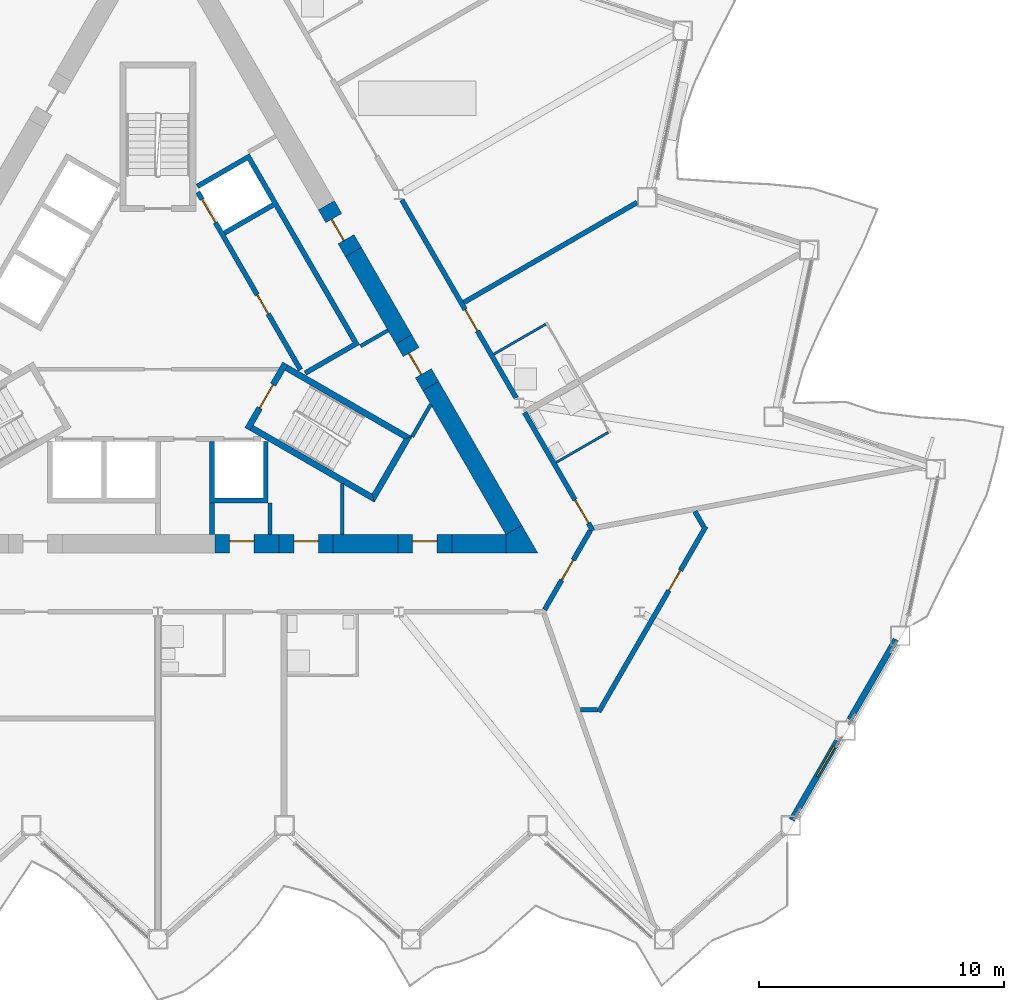
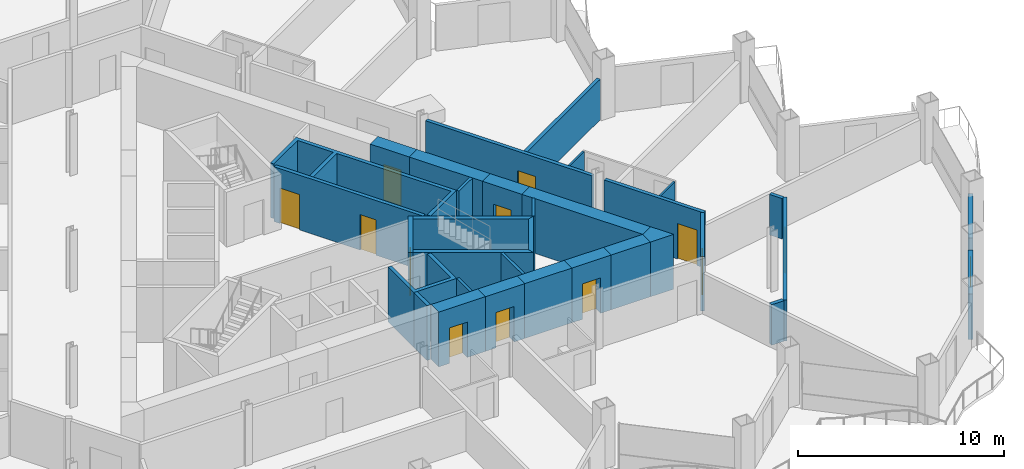
# One storey, part 12 of 22: 33 walls, 12 doors, 1 window, 13 openings.
"""IFC4 building model written with IfcOpenShell, lengths in metres."""

from ifc_helpers import new_model, si_unit, direction, frame, frame_2d, origin, place, context, subcontext, project, spatial, polyline, rectangle, outline, extrude, material, layer, layer_set, type_object, element, fill, save


model = new_model("IFC4")

# Units and contexts
model_context = context("Model", 3, precision=1e-05, world=origin(), true_north=direction((0.0, 1.0)))
body_context = subcontext(model_context, "Body", "Model", "MODEL_VIEW")
ifc_project = project(units=[si_unit("LENGTHUNIT", "METRE"), si_unit("AREAUNIT", "SQUARE_METRE"), si_unit("VOLUMEUNIT", "CUBIC_METRE"), si_unit("PLANEANGLEUNIT", "RADIAN"), si_unit("MASSUNIT", "GRAM", prefix="KILO")], contexts=[model_context])

# Site, building, storey
site_placement = place(None, origin())
site = spatial("IfcSite", under=ifc_project, at=site_placement, CompositionType="ELEMENT")
building_placement = place(site_placement, origin())
building = spatial("IfcBuilding", under=site, at=building_placement, Name="Cormorant Prow Tower", CompositionType="ELEMENT")
storey_placement = place(building_placement, frame((0.0, 0.0, 194.39990234375)))
storey = spatial("IfcBuildingStorey", under=building, at=storey_placement, Name="L42", CompositionType="ELEMENT", Elevation=194.39990234375)

# Walls
ifc_material_1 = material(Name="Gypsum board partition")
ifc_layer_1 = layer(ifc_material_1, 0.14990234375)
ifc_layer_set_1 = layer_set([ifc_layer_1], Name="Gypsum board partition")
wall_type_1 = type_object("IfcWallType", Name="Core partition 150", PredefinedType="PARTITIONING", material=ifc_layer_set_1)
for number, where, z_axis, x_axis, name in (
    (1, (8.268310546875, -0.509033203125, 0.0), (0.0, 0.0, 1.0), (0.866003189247, 0.500038474733, 0.0), "Service room partition"),
    (2, (4.574951171875, -6.906005859375, 0.0), (0.0, 0.0, 1.0), (0.0, -1.0, 0.0), "Service room partition"),
):
    element("IfcWall", number, at=place(storey_placement, frame(where, z_axis=z_axis, x_axis=x_axis)), inside=storey, type_object=wall_type_1, Name=name, PredefinedType="PARTITIONING", context=body_context, shape_type="SweptSolid", body=[
        extrude(rectangle(XDim=1.29296875, YDim=0.14990234375, at=frame_2d((0.646484375, 0.0))), origin(), (0.0, 0.0, 1.0), 3.25),
    ])
wall_1_placement = place(storey_placement, frame((7.515380859375, -8.198974609375, 0.0), z_axis=(0.0, 0.0, 1.0), x_axis=(0.0, 1.0, 0.0)))
element("IfcWall", 3, at=wall_1_placement, inside=storey, type_object=wall_type_1, Name="Service room partition", PredefinedType="PARTITIONING", context=body_context, shape_type="SweptSolid", body=[
    extrude(rectangle(XDim=2.087158203125, YDim=0.14990234375, at=frame_2d((1.04345703125, 0.0))), origin(), (0.0, 0.0, 1.0), 3.25),
])
wall_2_placement = place(storey_placement, frame((10.37353515625, -4.206298828125, 0.0), z_axis=(0.0, 0.0, 1.0), x_axis=(0.500037110984, 0.866003976688, 0.0)))
element("IfcWall", 4, at=wall_2_placement, inside=storey, type_object=wall_type_1, Name="Service room partition", PredefinedType="PARTITIONING", context=body_context, shape_type="SweptSolid", body=[
    extrude(rectangle(XDim=1.5224609375, YDim=0.14990234375, at=frame_2d((0.76123046875, 0.0))), origin(), (0.0, 0.0, 1.0), 3.25),
])
ifc_material_2 = material(Name="Concrete 8000 psi", Category="concrete")
ifc_layer_2 = layer(ifc_material_2, 0.75)
ifc_layer_set_2 = layer_set([ifc_layer_2], Name="Concrete 8000 psi")
wall_type_2 = type_object("IfcWallType", Name="Core shear wall 750", PredefinedType="SHEAR", material=ifc_layer_set_2)
wall_3_placement = place(storey_placement, frame((7.14501953125, -8.573974609375, 0.0), z_axis=(0.0, 0.0, 1.0), x_axis=(1.0, 0.0, 0.0)))
element("IfcWall", 5, at=wall_3_placement, inside=storey, type_object=wall_type_2, Name="Core wall", PredefinedType="SHEAR", context=body_context, shape_type="SweptSolid", body=[
    extrude(rectangle(XDim=2.650634765625, YDim=0.75, at=frame_2d((1.3251953125, 0.0))), origin(), (0.0, 0.0, 1.0), 3.25),
])
wall_4_placement = place(storey_placement, frame((11.99560546875, -8.573974609375, 0.0), z_axis=(0.0, 0.0, 1.0), x_axis=(1.0, 0.0, 0.0)))
element("IfcWall", 6, at=wall_4_placement, inside=storey, type_object=wall_type_2, Name="Core wall", PredefinedType="SHEAR", context=body_context, shape_type="SweptSolid", body=[
    extrude(rectangle(XDim=2.205322265625, YDim=0.75, at=frame_2d((1.1025390625, 0.0))), origin(), (0.0, 0.0, 1.0), 3.25),
])
wall_5_placement = place(storey_placement, frame((14.525634765625, -8.011474609375, 0.0), z_axis=(0.0, 0.0, 1.0), x_axis=(-0.499982018922, 0.866035784916, 0.0)))
element("IfcWall", 7, at=wall_5_placement, inside=storey, type_object=wall_type_2, Name="Core wall", PredefinedType="SHEAR", context=body_context, shape_type="SweptSolid", body=[
    extrude(rectangle(XDim=6.784912109375, YDim=0.75, at=frame_2d((3.392578125, 0.0))), origin(), (0.0, 0.0, 1.0), 3.25),
])
wall_6_placement = place(storey_placement, frame((10.033203125, -0.22998046875, 0.0), z_axis=(0.0, 0.0, 1.0), x_axis=(-0.500030520673, 0.866007781949, 0.0)))
element("IfcWall", 8, at=wall_6_placement, inside=storey, type_object=wall_type_2, Name="Core wall", PredefinedType="SHEAR", context=body_context, shape_type="SweptSolid", body=[
    extrude(rectangle(XDim=4.115966796875, YDim=0.75, at=frame_2d((2.05810546875, 0.0))), origin(), (0.0, 0.0, 1.0), 3.25),
])
wall_7_placement = place(storey_placement, origin())
element("IfcWall", 9, at=wall_7_placement, inside=storey, type_object=wall_type_2, Name="Core wall corner", PredefinedType="SHEAR", context=body_context, shape_type="SweptSolid", body=[
    extrude(outline(polyline([(14.200927734375, -8.948974609375), (14.200927734375, -8.198974609375), (14.8505859375, -7.823974609375), (15.5, -8.948974609375), (14.200927734375, -8.948974609375)])), origin(), (0.0, 0.0, 1.0), 3.25),
])

# Wall, opening, door
wall_8_placement = place(storey_placement, frame((2.320068359375, -8.573974609375, 0.0), z_axis=(0.0, 0.0, 1.0), x_axis=(1.0, 0.0, 0.0)))
wall_8 = element("IfcWall", 10, at=wall_8_placement, inside=storey, type_object=wall_type_2, Name="Core wall door panel", PredefinedType="SHEAR", context=body_context, shape_type="SweptSolid", body=[
    extrude(rectangle(XDim=2.625, YDim=0.75, at=frame_2d((1.3125, 0.0))), origin(), (0.0, 0.0, 1.0), 3.25),
])
opening_1_placement = place(wall_8_placement, frame((0.60009765625, 0.0, 0.0)))
opening_1 = element("IfcOpeningElement", 11, at=opening_1_placement, cuts=wall_8, Name="Opening L42-C13", PredefinedType="OPENING", context=body_context, shape_type="SweptSolid", body=[
    extrude(rectangle(XDim=1.0, YDim=2.10009765625, at=frame_2d((0.5, 1.050048828125))), frame((0.0, 0.385009765625, 0.0), z_axis=(0.0, -1.0, 0.0), x_axis=(1.0, 0.0, 0.0)), (0.0, 0.0, 1.0), 0.77001953125),
])
ifc_material_3 = material(Name="Painted steel", Category="steel")
door_type_1 = type_object("IfcDoorType", Name="Service door 1000x2100", OperationType="NOTDEFINED", PredefinedType="DOOR", material=ifc_material_3)
door_1_placement = place(opening_1_placement, origin())
door_1 = element("IfcDoor", 12, at=door_1_placement, inside=storey, type_object=door_type_1, Name="Core door, Telecom room", OperationType="SINGLE_SWING_RIGHT", OverallHeight=2.10009765625, OverallWidth=1.0, PredefinedType="DOOR", context=body_context, shape_type="SweptSolid", body=[
    extrude(rectangle(XDim=1.0, YDim=2.10009765625, at=frame_2d((0.5, 1.050048828125))), frame((0.0, 0.1298828125, 0.0), z_axis=(0.0, -1.0, 0.0), x_axis=(1.0, 0.0, 0.0)), (0.0, 0.0, 1.0), 0.050048828125),
])
fill(opening_1, door_1)

wall_9_placement = place(storey_placement, frame((4.945068359375, -8.573974609375, 0.0), z_axis=(0.0, 0.0, 1.0), x_axis=(1.0, 0.0, 0.0)))
wall_9 = element("IfcWall", 13, at=wall_9_placement, inside=storey, type_object=wall_type_2, Name="Core wall door panel", PredefinedType="SHEAR", context=body_context, shape_type="SweptSolid", body=[
    extrude(rectangle(XDim=2.199951171875, YDim=0.75, at=frame_2d((1.10009765625, 0.0))), origin(), (0.0, 0.0, 1.0), 3.25),
])
opening_2_placement = place(wall_9_placement, frame((0.60009765625, 0.0, 0.0)))
opening_2 = element("IfcOpeningElement", 14, at=opening_2_placement, cuts=wall_9, Name="Opening L42-C15", PredefinedType="OPENING", context=body_context, shape_type="SweptSolid", body=[
    extrude(rectangle(XDim=1.0, YDim=2.10009765625, at=frame_2d((0.5, 1.050048828125))), frame((0.0, 0.385009765625, 0.0), z_axis=(0.0, -1.0, 0.0), x_axis=(1.0, 0.0, 0.0)), (0.0, 0.0, 1.0), 0.77001953125),
])
door_2_placement = place(opening_2_placement, origin())
door_2 = element("IfcDoor", 15, at=door_2_placement, inside=storey, type_object=door_type_1, Name="Core door, Electrical room", OperationType="SINGLE_SWING_LEFT", OverallHeight=2.10009765625, OverallWidth=1.0, PredefinedType="DOOR", context=body_context, shape_type="SweptSolid", body=[
    extrude(rectangle(XDim=1.0, YDim=2.10009765625, at=frame_2d((0.5, 1.050048828125))), frame((0.0, 0.1298828125, 0.0), z_axis=(0.0, -1.0, 0.0), x_axis=(1.0, 0.0, 0.0)), (0.0, 0.0, 1.0), 0.050048828125),
])
fill(opening_2, door_2)

wall_10_placement = place(storey_placement, frame((9.795654296875, -8.573974609375, 0.0), z_axis=(0.0, 0.0, 1.0), x_axis=(1.0, 0.0, 0.0)))
wall_10 = element("IfcWall", 16, at=wall_10_placement, inside=storey, type_object=wall_type_2, Name="Core wall door panel", PredefinedType="SHEAR", context=body_context, shape_type="SweptSolid", body=[
    extrude(rectangle(XDim=2.199951171875, YDim=0.75, at=frame_2d((1.10009765625, 0.0))), origin(), (0.0, 0.0, 1.0), 3.25),
])
opening_3_placement = place(wall_10_placement, frame((0.60009765625, 0.0, 0.0)))
opening_3 = element("IfcOpeningElement", 17, at=opening_3_placement, cuts=wall_10, Name="Opening L42-C16", PredefinedType="OPENING", context=body_context, shape_type="SweptSolid", body=[
    extrude(rectangle(XDim=1.0, YDim=2.10009765625, at=frame_2d((0.5, 1.050048828125))), frame((0.0, 0.385009765625, 0.0), z_axis=(0.0, -1.0, 0.0), x_axis=(1.0, 0.0, 0.0)), (0.0, 0.0, 1.0), 0.77001953125),
])
door_3_placement = place(opening_3_placement, origin())
door_3 = element("IfcDoor", 18, at=door_3_placement, inside=storey, type_object=door_type_1, Name="Core door, Mechanical riser room", OperationType="SINGLE_SWING_LEFT", OverallHeight=2.10009765625, OverallWidth=1.0, PredefinedType="DOOR", context=body_context, shape_type="SweptSolid", body=[
    extrude(rectangle(XDim=1.0, YDim=2.10009765625, at=frame_2d((0.5, 1.050048828125))), frame((0.0, 0.1298828125, 0.0), z_axis=(0.0, -1.0, 0.0), x_axis=(1.0, 0.0, 0.0)), (0.0, 0.0, 1.0), 0.050048828125),
])
fill(opening_3, door_3)

wall_11_placement = place(storey_placement, frame((7.975341796875, 3.33447265625, 0.0), z_axis=(0.0, 0.0, 1.0), x_axis=(-0.500077893725, 0.86598042715, 0.0)))
wall_11 = element("IfcWall", 19, at=wall_11_placement, inside=storey, type_object=wall_type_2, Name="Core wall door panel", PredefinedType="SHEAR", context=body_context, shape_type="SweptSolid", body=[
    extrude(rectangle(XDim=2.199951171875, YDim=0.75, at=frame_2d((1.10009765625, 0.0))), origin(), (0.0, 0.0, 1.0), 3.25),
])
opening_4_placement = place(wall_11_placement, frame((0.60009765625, 0.0, 0.0)))
opening_4 = element("IfcOpeningElement", 20, at=opening_4_placement, cuts=wall_11, Name="Opening L42-C18", PredefinedType="OPENING", context=body_context, shape_type="SweptSolid", body=[
    extrude(rectangle(XDim=1.0, YDim=2.10009765625, at=frame_2d((0.5, 1.050048828125))), frame((0.0, 0.385009765625, 0.0), z_axis=(0.0, -1.0, 0.0), x_axis=(1.0, 0.0, 0.0)), (0.0, 0.0, 1.0), 0.77001953125),
])
door_4_placement = place(opening_4_placement, origin())
door_4 = element("IfcDoor", 21, at=door_4_placement, inside=storey, type_object=door_type_1, Name="Core door, Pantry store", OperationType="SINGLE_SWING_RIGHT", OverallHeight=2.10009765625, OverallWidth=1.0, PredefinedType="DOOR", context=body_context, shape_type="SweptSolid", body=[
    extrude(rectangle(XDim=1.0, YDim=2.10009765625, at=frame_2d((0.5, 1.050048828125))), frame((0.0, 0.1298828125, 0.0), z_axis=(0.0, -1.0, 0.0), x_axis=(1.0, 0.0, 0.0)), (0.0, 0.0, 1.0), 0.050048828125),
])
fill(opening_4, door_4)

wall_12_placement = place(storey_placement, frame((11.13330078125, -2.135498046875, 0.0), z_axis=(0.0, 0.0, 1.0), x_axis=(-0.499981787252, 0.866035918664, 0.0)))
wall_12 = element("IfcWall", 22, at=wall_12_placement, inside=storey, type_object=wall_type_2, Name="Core wall door panel", PredefinedType="SHEAR", context=body_context, shape_type="SweptSolid", body=[
    extrude(rectangle(XDim=2.2001953125, YDim=0.75, at=frame_2d((1.10009765625, 0.0))), origin(), (0.0, 0.0, 1.0), 3.25),
])
opening_5_placement = place(wall_12_placement, frame((0.60009765625, 0.0, 0.0)))
opening_5 = element("IfcOpeningElement", 23, at=opening_5_placement, cuts=wall_12, Name="Opening L42-C20", PredefinedType="OPENING", context=body_context, shape_type="SweptSolid", body=[
    extrude(rectangle(XDim=1.0, YDim=2.10009765625, at=frame_2d((0.5, 1.050048828125))), frame((0.0, 0.385009765625, 0.0), z_axis=(0.0, -1.0, 0.0), x_axis=(1.0, 0.0, 0.0)), (0.0, 0.0, 1.0), 0.77001953125),
])
door_5_placement = place(opening_5_placement, origin())
door_5 = element("IfcDoor", 24, at=door_5_placement, inside=storey, type_object=door_type_1, Name="Core door, Mechanical riser room", OperationType="SINGLE_SWING_LEFT", OverallHeight=2.10009765625, OverallWidth=1.0, PredefinedType="DOOR", context=body_context, shape_type="SweptSolid", body=[
    extrude(rectangle(XDim=1.0, YDim=2.10009765625, at=frame_2d((0.5, 1.050048828125))), frame((0.0, 0.1298828125, 0.0), z_axis=(0.0, -1.0, 0.0), x_axis=(1.0, 0.0, 0.0)), (0.0, 0.0, 1.0), 0.050048828125),
])
fill(opening_5, door_5)

ifc_material_4 = material(Name="Gypsum board corridor wall")
ifc_layer_3 = layer(ifc_material_4, 0.199951171875)
ifc_layer_set_3 = layer_set([ifc_layer_3], Name="Gypsum board corridor wall")
wall_type_3 = type_object("IfcWallType", Name="Corridor wall 200", PredefinedType="PARTITIONING", material=ifc_layer_set_3)
wall_13_placement = place(storey_placement, frame((9.951904296875, 5.460693359375, 0.0), z_axis=(0.0, 0.0, 1.0), x_axis=(0.50000393355, -0.866023132736, 0.0)))
wall_13 = element("IfcWall", 25, at=wall_13_placement, inside=storey, type_object=wall_type_3, Name="Corridor wall", PredefinedType="PARTITIONING", context=body_context, shape_type="SweptSolid", body=[
    extrude(rectangle(XDim=9.3349609375, YDim=0.199951171875, at=frame_2d((4.66748046875, 0.0))), origin(), (0.0, 0.0, 1.0), 3.25),
])
opening_6_placement = place(wall_13_placement, frame((5.171875, 0.0, 0.0)))
opening_6 = element("IfcOpeningElement", 26, at=opening_6_placement, cuts=wall_13, Name="Opening L42-F11", PredefinedType="OPENING", context=body_context, shape_type="SweptSolid", body=[
    extrude(rectangle(XDim=1.0, YDim=2.10009765625, at=frame_2d((0.5, 1.050048828125))), frame((0.0, 0.10986328125, 0.0), z_axis=(0.0, -1.0, 0.0), x_axis=(1.0, 0.0, 0.0)), (0.0, 0.0, 1.0), 0.219970703125),
])
ifc_material_5 = material(Name="Timber door leaf", Category="wood")
door_type_2 = type_object("IfcDoorType", Name="Flat or room entrance door 1000x2100", OperationType="NOTDEFINED", PredefinedType="DOOR", material=ifc_material_5)
door_6_placement = place(opening_6_placement, origin())
door_6 = element("IfcDoor", 27, at=door_6_placement, inside=storey, type_object=door_type_2, Name="Guest room door", OperationType="SINGLE_SWING_LEFT", OverallHeight=2.10009765625, OverallWidth=1.0, PredefinedType="DOOR", context=body_context, shape_type="SweptSolid", body=[
    extrude(rectangle(XDim=1.0, YDim=2.10009765625, at=frame_2d((0.5, 1.050048828125))), frame((0.0, 0.02490234375, 0.0), z_axis=(0.0, -1.0, 0.0), x_axis=(1.0, 0.0, 0.0)), (0.0, 0.0, 1.0), 0.050048828125),
])
fill(opening_6, door_6)

wall_14_placement = place(storey_placement, frame((14.9619140625, -3.217041015625, 0.0), z_axis=(0.0, 0.0, 1.0), x_axis=(0.500013660489, -0.866017516754, 0.0)))
wall_14 = element("IfcWall", 28, at=wall_14_placement, inside=storey, type_object=wall_type_3, Name="Corridor wall", PredefinedType="PARTITIONING", context=body_context, shape_type="SweptSolid", body=[
    extrude(rectangle(XDim=5.563720703125, YDim=0.199951171875, at=frame_2d((2.78173828125, 0.0))), origin(), (0.0, 0.0, 1.0), 3.25),
])
opening_7_placement = place(wall_14_placement, frame((4.1123046875, 0.0, 0.0)))
opening_7 = element("IfcOpeningElement", 29, at=opening_7_placement, cuts=wall_14, Name="Opening L42-F09", PredefinedType="OPENING", context=body_context, shape_type="SweptSolid", body=[
    extrude(rectangle(XDim=1.10009765625, YDim=2.10009765625, at=frame_2d((0.550048828125, 1.050048828125))), frame((0.0, 0.10986328125, 0.0), z_axis=(0.0, -1.0, 0.0), x_axis=(1.0, 0.0, 0.0)), (0.0, 0.0, 1.0), 0.219970703125),
])
ifc_material_6 = material(Name="Timber door leaf", Category="wood")
door_type_3 = type_object("IfcDoorType", Name="Suite entrance door 1100x2100", OperationType="NOTDEFINED", PredefinedType="DOOR", material=ifc_material_6)
door_7_placement = place(opening_7_placement, origin())
door_7 = element("IfcDoor", 30, at=door_7_placement, inside=storey, type_object=door_type_3, Name="Junior suite door", OperationType="SINGLE_SWING_RIGHT", OverallHeight=2.10009765625, OverallWidth=1.10009765625, PredefinedType="DOOR", context=body_context, shape_type="SweptSolid", body=[
    extrude(rectangle(XDim=1.10009765625, YDim=2.10009765625, at=frame_2d((0.550048828125, 1.050048828125))), frame((0.0, 0.02490234375, 0.0), z_axis=(0.0, -1.0, 0.0), x_axis=(1.0, 0.0, 0.0)), (0.0, 0.0, 1.0), 0.050048828125),
])
fill(opening_7, door_7)

wall_15_placement = place(storey_placement, frame((15.781005859375, -11.26220703125, 0.0), z_axis=(0.0, 0.0, 1.0), x_axis=(0.499958791762, 0.866049194065, 0.0)))
wall_15 = element("IfcWall", 31, at=wall_15_placement, inside=storey, type_object=wall_type_3, Name="Corridor wall", PredefinedType="PARTITIONING", context=body_context, shape_type="SweptSolid", body=[
    extrude(rectangle(XDim=3.725830078125, YDim=0.199951171875, at=frame_2d((1.86279296875, 0.0))), origin(), (0.0, 0.0, 1.0), 3.25),
])
opening_8_placement = place(wall_15_placement, frame((1.387939453125, 0.0, 0.0)))
opening_8 = element("IfcOpeningElement", 32, at=opening_8_placement, cuts=wall_15, Name="Opening L42-F07", PredefinedType="OPENING", context=body_context, shape_type="SweptSolid", body=[
    extrude(rectangle(XDim=0.949951171875, YDim=2.10009765625, at=frame_2d((0.47509765625, 1.050048828125))), frame((0.0, 0.10986328125, 0.0), z_axis=(0.0, -1.0, 0.0), x_axis=(1.0, 0.0, 0.0)), (0.0, 0.0, 1.0), 0.219970703125),
])
ifc_material_7 = material(Name="Timber door leaf", Category="wood")
door_type_4 = type_object("IfcDoorType", Name="Store door 950x2100", OperationType="NOTDEFINED", PredefinedType="DOOR", material=ifc_material_7)
door_8_placement = place(opening_8_placement, origin())
door_8 = element("IfcDoor", 33, at=door_8_placement, inside=storey, type_object=door_type_4, Name="Housekeeping room door", OperationType="SINGLE_SWING_RIGHT", OverallHeight=2.10009765625, OverallWidth=0.949951171875, PredefinedType="DOOR", context=body_context, shape_type="SweptSolid", body=[
    extrude(rectangle(XDim=0.949951171875, YDim=2.10009765625, at=frame_2d((0.47509765625, 1.050048828125))), frame((0.0, 0.02490234375, 0.0), z_axis=(0.0, -1.0, 0.0), x_axis=(1.0, 0.0, 0.0)), (0.0, 0.0, 1.0), 0.050048828125),
])
fill(opening_8, door_8)

ifc_material_8 = material(Name="Gypsum board demising wall")
ifc_layer_4 = layer(ifc_material_8, 0.199951171875)
ifc_layer_set_4 = layer_set([ifc_layer_4], Name="Gypsum board demising wall")
wall_type_4 = type_object("IfcWallType", Name="Demising wall 200", PredefinedType="PARTITIONING", material=ifc_layer_set_4)
wall_16_placement = place(storey_placement, frame((17.990234375, -15.435546875, 0.0), z_axis=(0.0, 0.0, 1.0), x_axis=(0.500012451049, 0.866018215049, 0.0)))
wall_16 = element("IfcWall", 34, at=wall_16_placement, inside=storey, type_object=wall_type_4, Name="Demising wall", PredefinedType="PARTITIONING", context=body_context, shape_type="SweptSolid", body=[
    extrude(rectangle(XDim=8.744873046875, YDim=0.199951171875, at=frame_2d((4.37255859375, 0.0))), origin(), (0.0, 0.0, 1.0), 2.404296875),
])
opening_9_placement = place(wall_16_placement, frame((5.72119140625, 0.0, 0.0)))
opening_9 = element("IfcOpeningElement", 35, at=opening_9_placement, cuts=wall_16, Name="Opening L42-F08", PredefinedType="OPENING", context=body_context, shape_type="SweptSolid", body=[
    extrude(rectangle(XDim=0.949951171875, YDim=2.10009765625, at=frame_2d((0.47509765625, 1.050048828125))), frame((0.0, 0.10986328125, 0.0), z_axis=(0.0, -1.0, 0.0), x_axis=(1.0, 0.0, 0.0)), (0.0, 0.0, 1.0), 0.219970703125),
])
door_9_placement = place(opening_9_placement, origin())
door_9 = element("IfcDoor", 36, at=door_9_placement, inside=storey, type_object=door_type_4, Name="Ice and vending room door", OperationType="SINGLE_SWING_LEFT", OverallHeight=2.10009765625, OverallWidth=0.949951171875, PredefinedType="DOOR", context=body_context, shape_type="SweptSolid", body=[
    extrude(rectangle(XDim=0.949951171875, YDim=2.10009765625, at=frame_2d((0.47509765625, 1.050048828125))), frame((0.0, 0.02490234375, 0.0), z_axis=(0.0, -1.0, 0.0), x_axis=(1.0, 0.0, 0.0)), (0.0, 0.0, 1.0), 0.050048828125),
])
fill(opening_9, door_9)

# Walls
wall_17_placement = place(storey_placement, frame((12.484375, 1.2744140625, 0.0), z_axis=(0.0, 0.0, 1.0), x_axis=(0.866026229868, 0.499998569178, 0.0)))
element("IfcWall", 37, at=wall_17_placement, inside=storey, type_object=wall_type_4, Name="Demising wall", PredefinedType="PARTITIONING", context=body_context, shape_type="SweptSolid", body=[
    extrude(rectangle(XDim=8.1640625, YDim=0.199951171875, at=frame_2d((4.08203125, 0.0))), origin(), (0.0, 0.0, 1.0), 2.404296875),
])
for number, where, z_axis, x_axis, name in (
    (38, (17.236328125, -15.348876953125, 0.0), (0.0, 0.0, 1.0), (1.0, 0.0, 0.0), "Demising wall"),
    (39, (21.91064453125, -7.252685546875, 0.0), (0.0, 0.0, 1.0), (0.500092692325, -0.865971881231, 0.0), "Demising wall"),
):
    element("IfcWall", number, at=place(storey_placement, frame(where, z_axis=z_axis, x_axis=x_axis)), inside=storey, type_object=wall_type_4, Name=name, PredefinedType="PARTITIONING", context=body_context, shape_type="SweptSolid", body=[
        extrude(rectangle(XDim=0.703857421875, YDim=0.199951171875, at=frame_2d((0.35205078125, 0.0))), origin(), (0.0, 0.0, 1.0), 2.404296875),
    ])
ifc_material_9 = material(Name="Gypsum board partition")
ifc_layer_5 = layer(ifc_material_9, 0.10009765625)
ifc_layer_set_5 = layer_set([ifc_layer_5], Name="Gypsum board partition")
wall_type_5 = type_object("IfcWallType", Name="Internal partition 100", PredefinedType="PARTITIONING", material=ifc_layer_set_5)
wall_18_placement = place(storey_placement, frame((13.70361328125, -0.83740234375, 0.0), z_axis=(0.0, 0.0, 1.0), x_axis=(0.865989751695, 0.500061746146, 0.0)))
element("IfcWall", 40, at=wall_18_placement, inside=storey, type_object=wall_type_5, Name="Internal partition", PredefinedType="PARTITIONING", context=body_context, shape_type="SweptSolid", body=[
    extrude(rectangle(XDim=2.449951171875, YDim=0.10009765625, at=frame_2d((1.22509765625, 0.0))), origin(), (0.0, 0.0, 1.0), 2.404296875),
])
wall_19_placement = place(storey_placement, frame((16.253662109375, -5.254150390625, 0.0), z_axis=(0.0, 0.0, 1.0), x_axis=(0.866032905446, 0.499987006516, 0.0)))
element("IfcWall", 41, at=wall_19_placement, inside=storey, type_object=wall_type_5, Name="Internal partition", PredefinedType="PARTITIONING", context=body_context, shape_type="SweptSolid", body=[
    extrude(rectangle(XDim=2.44970703125, YDim=0.10009765625, at=frame_2d((1.224853515625, 0.0))), origin(), (0.0, 0.0, 1.0), 2.404296875),
])

# Wall, openings, doors
ifc_material_10 = material(Name="Concrete 5000 psi", Category="concrete")
ifc_layer_6 = layer(ifc_material_10, 0.199951171875)
ifc_layer_set_6 = layer_set([ifc_layer_6], Name="Concrete 5000 psi")
wall_type_6 = type_object("IfcWallType", Name="Lift lobby wall 200", PredefinedType="SOLIDWALL", material=ifc_layer_set_6)
wall_20_placement = place(storey_placement, frame((5.817138671875, -1.4755859375, 0.0), z_axis=(0.0, 0.0, 1.0), x_axis=(-0.500002616675, 0.866023893041, 0.0)))
wall_20 = element("IfcWall", 42, at=wall_20_placement, inside=storey, type_object=wall_type_6, Name="Lift lobby wall, ENE block", PredefinedType="SOLIDWALL", context=body_context, shape_type="SweptSolid", body=[
    extrude(rectangle(XDim=8.373046875, YDim=0.199951171875, at=frame_2d((4.1865234375, 0.0))), origin(), (0.0, 0.0, 1.0), 3.25),
])
opening_10_placement = place(wall_20_placement, frame((2.63671875, 0.0, 0.0)))
opening_10 = element("IfcOpeningElement", 43, at=opening_10_placement, cuts=wall_20, Name="Opening L42-C05", PredefinedType="OPENING", context=body_context, shape_type="SweptSolid", body=[
    extrude(rectangle(XDim=0.89990234375, YDim=2.10009765625, at=frame_2d((0.449951171875, 1.050048828125))), frame((0.0, 0.10986328125, 0.0), z_axis=(0.0, -1.0, 0.0), x_axis=(1.0, 0.0, 0.0)), (0.0, 0.0, 1.0), 0.219970703125),
])
opening_11_placement = place(wall_20_placement, frame((6.9365234375, 0.0, 0.0)))
opening_11 = element("IfcOpeningElement", 44, at=opening_11_placement, cuts=wall_20, Name="Opening L42-C06", PredefinedType="OPENING", context=body_context, shape_type="SweptSolid", body=[
    extrude(rectangle(XDim=1.10009765625, YDim=2.10009765625, at=frame_2d((0.550048828125, 1.050048828125))), frame((0.0, 0.10986328125, 0.0), z_axis=(0.0, -1.0, 0.0), x_axis=(1.0, 0.0, 0.0)), (0.0, 0.0, 1.0), 0.219970703125),
])
ifc_material_11 = material(Name="Painted steel", Category="steel")
door_type_5 = type_object("IfcDoorType", Name="Lift landing door 1100x2100", OperationType="SLIDING_TO_LEFT", PredefinedType="DOOR", material=ifc_material_11)
door_10_placement = place(opening_11_placement, origin())
door_10 = element("IfcDoor", 45, at=door_10_placement, inside=storey, type_object=door_type_5, Name="Landing door MR1", OperationType="SLIDING_TO_LEFT", OverallHeight=2.10009765625, OverallWidth=1.10009765625, PredefinedType="DOOR", context=body_context, shape_type="SweptSolid", body=[
    extrude(rectangle(XDim=1.10009765625, YDim=2.10009765625, at=frame_2d((0.550048828125, 1.050048828125))), frame((0.0, 0.02490234375, 0.0), z_axis=(0.0, -1.0, 0.0), x_axis=(1.0, 0.0, 0.0)), (0.0, 0.0, 1.0), 0.050048828125),
])
fill(opening_11, door_10)
ifc_material_12 = material(Name="Painted steel", Category="steel")
door_type_6 = type_object("IfcDoorType", Name="Service door 900x2100", OperationType="NOTDEFINED", PredefinedType="DOOR", material=ifc_material_12)
door_11_placement = place(opening_10_placement, origin())
door_11 = element("IfcDoor", 46, at=door_11_placement, inside=storey, type_object=door_type_6, Name="Service door, Pantry store", OperationType="SINGLE_SWING_RIGHT", OverallHeight=2.10009765625, OverallWidth=0.89990234375, PredefinedType="DOOR", context=body_context, shape_type="SweptSolid", body=[
    extrude(rectangle(XDim=0.89990234375, YDim=2.10009765625, at=frame_2d((0.449951171875, 1.050048828125))), frame((0.0, 0.02490234375, 0.0), z_axis=(0.0, -1.0, 0.0), x_axis=(1.0, 0.0, 0.0)), (0.0, 0.0, 1.0), 0.050048828125),
])
fill(opening_10, door_11)

# Walls
ifc_material_13 = material(Name="Concrete 8000 psi", Category="concrete")
ifc_layer_7 = layer(ifc_material_13, 0.199951171875)
ifc_layer_set_7 = layer_set([ifc_layer_7], Name="Concrete 8000 psi")
wall_type_7 = type_object("IfcWallType", Name="Lift shaft wall 200", PredefinedType="SHEAR", material=ifc_layer_set_7)
wall_21_placement = place(storey_placement, origin())
element("IfcWall", 47, at=wall_21_placement, inside=storey, type_object=wall_type_7, Name="Lift shaft walls, S block", PredefinedType="SHEAR", context=body_context, shape_type="SweptSolid", body=[
    extrude(outline(polyline([(4.5, -4.39990234375), (4.5, -6.906005859375), (2.10009765625, -6.906005859375), (2.10009765625, -4.39990234375), (2.300048828125, -4.39990234375), (2.300048828125, -6.699951171875), (4.300048828125, -6.699951171875), (4.300048828125, -4.39990234375), (4.5, -4.39990234375)])), origin(), (0.0, 0.0, 1.0), 3.25),
])
wall_22_placement = place(storey_placement, frame((2.199951171875, -6.906005859375, 0.0), z_axis=(0.0, 0.0, 1.0), x_axis=(0.0, -1.0, 0.0)))
element("IfcWall", 48, at=wall_22_placement, inside=storey, type_object=wall_type_7, Name="Store side wall", PredefinedType="SHEAR", context=body_context, shape_type="SweptSolid", body=[
    extrude(rectangle(XDim=1.29296875, YDim=0.199951171875, at=frame_2d((0.646484375, 0.0))), origin(), (0.0, 0.0, 1.0), 3.25),
])
wall_23_placement = place(storey_placement, origin())
element("IfcWall", 49, at=wall_23_placement, inside=storey, type_object=wall_type_7, Name="Lift shaft walls, ENE block", PredefinedType="SHEAR", context=body_context, shape_type="SweptSolid", body=[
    extrude(outline(polyline([(1.560546875, 6.09716796875), (3.730712890625, 7.35009765625), (8.230712890625, -0.444091796875), (6.060546875, -1.697021484375), (5.96044921875, -1.52392578125), (7.952392578125, -0.373779296875), (4.75244140625, 5.168701171875), (2.760498046875, 4.018798828125), (2.660400390625, 4.19189453125), (4.65234375, 5.341796875), (3.65234375, 7.073974609375), (1.660400390625, 5.923828125), (1.560546875, 6.09716796875)])), origin(), (0.0, 0.0, 1.0), 3.25),
])
ifc_material_14 = material(Name="Concrete 8000 psi", Category="concrete")
ifc_layer_8 = layer(ifc_material_14, 0.25)
ifc_layer_set_8 = layer_set([ifc_layer_8], Name="Concrete 8000 psi")
wall_type_8 = type_object("IfcWallType", Name="Stair wall 250", PredefinedType="SHEAR", material=ifc_layer_set_8)
wall_24_placement = place(storey_placement, origin())
element("IfcWall", 50, at=wall_24_placement, inside=storey, type_object=wall_type_8, Name="Stair ST2 enclosure wall (flank)", PredefinedType="SHEAR", context=body_context, shape_type="SweptSolid", body=[
    extrude(outline(polyline([(3.76318359375, -3.95556640625), (8.82958984375, -6.880615234375), (8.738037109375, -6.5390625), (3.88818359375, -3.739013671875), (3.76318359375, -3.95556640625)])), origin(), (0.0, 0.0, 1.0), 3.25),
])
wall_25_placement = place(storey_placement, origin())
element("IfcWall", 51, at=wall_25_placement, inside=storey, type_object=wall_type_8, Name="Stair ST2 enclosure wall (end)", PredefinedType="SHEAR", context=body_context, shape_type="SweptSolid", body=[
    extrude(outline(polyline([(8.82958984375, -6.880615234375), (10.37353515625, -4.206298828125), (10.031982421875, -4.2978515625), (8.738037109375, -6.5390625), (8.82958984375, -6.880615234375)])), origin(), (0.0, 0.0, 1.0), 3.25),
])
wall_26_placement = place(storey_placement, origin())
element("IfcWall", 52, at=wall_26_placement, inside=storey, type_object=wall_type_8, Name="Stair ST2 enclosure wall (flank)", PredefinedType="SHEAR", context=body_context, shape_type="SweptSolid", body=[
    extrude(outline(polyline([(10.031982421875, -4.2978515625), (10.37353515625, -4.206298828125), (5.30712890625, -1.28125), (5.18212890625, -1.497802734375), (10.031982421875, -4.2978515625)])), origin(), (0.0, 0.0, 1.0), 3.25),
])

# Wall, opening, door
wall_27_placement = place(storey_placement, frame((3.655029296875, -3.89306640625, 0.0), z_axis=(0.0, 0.0, 1.0), x_axis=(0.499982516597, 0.866035497597, 0.0)))
wall_27 = element("IfcWall", 53, at=wall_27_placement, inside=storey, type_object=wall_type_8, Name="Stair ST2 door wall", PredefinedType="SHEAR", context=body_context, shape_type="SweptSolid", body=[
    extrude(rectangle(XDim=3.087890625, YDim=0.25, at=frame_2d((1.5439453125, 0.0))), origin(), (0.0, 0.0, 1.0), 3.25),
])
opening_12_placement = place(wall_27_placement, frame((0.993896484375, 0.0, 0.0)))
opening_12 = element("IfcOpeningElement", 54, at=opening_12_placement, cuts=wall_27, Name="Opening L42-C11", PredefinedType="OPENING", context=body_context, shape_type="SweptSolid", body=[
    extrude(rectangle(XDim=1.10009765625, YDim=2.10009765625, at=frame_2d((0.550048828125, 1.050048828125))), frame((0.0, 0.135009765625, 0.0), z_axis=(0.0, -1.0, 0.0), x_axis=(1.0, 0.0, 0.0)), (0.0, 0.0, 1.0), 0.27001953125),
])
ifc_material_15 = material(Name="Painted steel", Category="steel")
door_type_7 = type_object("IfcDoorType", Name="Stair door 1100x2100", OperationType="NOTDEFINED", PredefinedType="DOOR", material=ifc_material_15)
door_12_placement = place(opening_12_placement, origin())
door_12 = element("IfcDoor", 55, at=door_12_placement, inside=storey, type_object=door_type_7, Name="Stair ST2 door", OperationType="SINGLE_SWING_RIGHT", OverallHeight=2.10009765625, OverallWidth=1.10009765625, PredefinedType="DOOR", context=body_context, shape_type="SweptSolid", body=[
    extrude(rectangle(XDim=1.10009765625, YDim=2.10009765625, at=frame_2d((0.550048828125, 1.050048828125))), frame((0.0, 0.02490234375, 0.0), z_axis=(0.0, -1.0, 0.0), x_axis=(1.0, 0.0, 0.0)), (0.0, 0.0, 1.0), 0.050048828125),
])
fill(opening_12, door_12)

# Wall, opening, window
ifc_material_16 = material(Name="Terracotta", Category="masonry")
ifc_layer_9 = layer(ifc_material_16, 0.25)
ifc_layer_set_9 = layer_set([ifc_layer_9], Name="Terracotta")
wall_type_9 = type_object("IfcWallType", Name="Terracotta bay wall 250", PredefinedType="SOLIDWALL", material=ifc_layer_set_9)
wall_28_placement = place(storey_placement, frame((25.868408203125, -19.844482421875, 0.0), z_axis=(0.0, 0.0, 1.0), x_axis=(0.499995303914, 0.866028115054, 0.0)))
wall_28 = element("IfcWall", 56, at=wall_28_placement, inside=storey, type_object=wall_type_9, Name="Terracotta bay wall ESE00", PredefinedType="SOLIDWALL", context=body_context, shape_type="SweptSolid", body=[
    extrude(rectangle(XDim=3.7177734375, YDim=0.25, at=frame_2d((1.85888671875, 0.0))), origin(), (0.0, 0.0, 1.0), 2.700927734375),
])
opening_13_placement = place(wall_28_placement, frame((2.050048828125, 0.0, 1.699951171875)))
opening_13 = element("IfcOpeningElement", 57, at=opening_13_placement, cuts=wall_28, Name="Opening WN3", PredefinedType="OPENING", context=body_context, shape_type="SweptSolid", body=[
    extrude(rectangle(XDim=1.39990234375, YDim=0.800048828125, at=frame_2d((0.699951171875, 0.39990234375))), frame((0.0, 0.135009765625, 0.0), z_axis=(0.0, -1.0, 0.0), x_axis=(1.0, 0.0, 0.0)), (0.0, 0.0, 1.0), 0.27001953125),
])
ifc_material_17 = material(Name="Aluminium 6063-T6", Category="aluminium")
window_type = type_object("IfcWindowType", Name="Corner bay window 1400x800", PartitioningType="SINGLE_PANEL", PredefinedType="WINDOW", material=ifc_material_17)
window_placement = place(opening_13_placement, origin())
window = element("IfcWindow", 58, at=window_placement, inside=storey, type_object=window_type, Name="Corner bay window ESE00", OverallHeight=0.800048828125, OverallWidth=1.39990234375, PartitioningType="SINGLE_PANEL", PredefinedType="WINDOW", context=body_context, shape_type="SweptSolid", body=[
    extrude(rectangle(XDim=1.39990234375, YDim=0.800048828125, at=frame_2d((0.699951171875, 0.39990234375))), frame((0.0, 0.030029296875, 0.0), z_axis=(0.0, -1.0, 0.0), x_axis=(1.0, 0.0, 0.0)), (0.0, 0.0, 1.0), 0.06005859375),
])
fill(opening_13, window)

# Wall
wall_29_placement = place(storey_placement, frame((28.232421875, -15.749755859375, 0.0), z_axis=(0.0, 0.0, 1.0), x_axis=(0.500034075199, 0.866005729565, 0.0)))
element("IfcWall", 59, at=wall_29_placement, inside=storey, type_object=wall_type_9, Name="Terracotta bay wall ESE01", PredefinedType="SOLIDWALL", context=body_context, shape_type="SweptSolid", body=[
    extrude(rectangle(XDim=3.775146484375, YDim=0.25, at=frame_2d((1.8876953125, 0.0))), origin(), (0.0, 0.0, 1.0), 2.700927734375),
])

save(model, "model.ifc")
